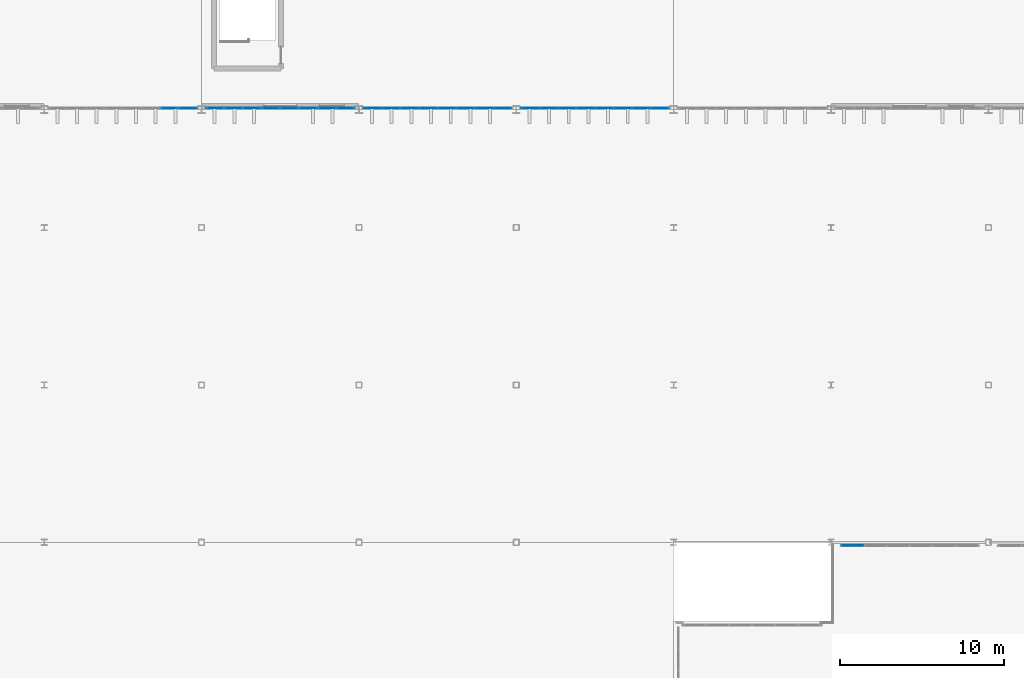
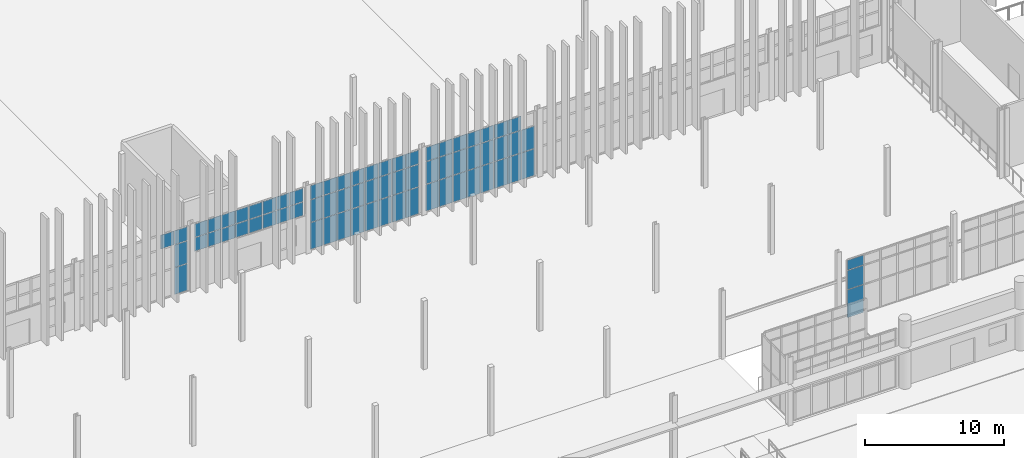
# One storey, part 73 of 139: 70 plates, 5 elements without a shape of their own.
"""IFC4 building model written with IfcOpenShell, lengths in metres."""

from ifc_helpers import new_model, si_unit, direction, frame, origin, origin_2d, place, context, subcontext, project, spatial, rectangle, extrude, material, layer, layer_set, type_object, element, aggregate, save


model = new_model("IFC4")

# Units and contexts
model_context = context("Model", 3, precision=1e-05, world=origin(), true_north=direction((0.0, 1.0)))
body_context = subcontext(model_context, "Body", "Model", "MODEL_VIEW")
ifc_project = project(units=[si_unit("LENGTHUNIT", "METRE"), si_unit("AREAUNIT", "SQUARE_METRE"), si_unit("VOLUMEUNIT", "CUBIC_METRE"), si_unit("PLANEANGLEUNIT", "RADIAN"), si_unit("MASSUNIT", "GRAM", prefix="KILO")], contexts=[model_context])

# Site, building, storey
site_placement = place(None, origin())
site = spatial("IfcSite", under=ifc_project, at=site_placement, CompositionType="ELEMENT")
building_placement = place(site_placement, origin())
building = spatial("IfcBuilding", under=site, at=building_placement, Name="Yeouljin Market Hall", CompositionType="ELEMENT")
storey_placement = place(building_placement, origin())
storey = spatial("IfcBuildingStorey", under=building, at=storey_placement, Name="L00", CompositionType="ELEMENT", Elevation=0.0)

# Curtain wall, plates
ifc_material_1 = material(Name="Thermally Broken Aluminium", Category="aluminium")
ifc_layer_1 = layer(ifc_material_1, 0.179931640625)
ifc_layer_set_1 = layer_set([ifc_layer_1], Name="Thermally Broken Aluminium")
curtain_wall_type_1 = type_object("IfcCurtainWallType", Name="CW_HallNave_System", PredefinedType="USERDEFINED", material=ifc_layer_set_1)
curtain_wall_1_placement = place(storey_placement, origin())
curtain_wall_1 = element("IfcCurtainWall", 1, at=curtain_wall_1_placement, inside=storey, type_object=curtain_wall_type_1, Name="Curtain wall CW-V1S-L00-06", ObjectType="CURTAIN WALL", PredefinedType="USERDEFINED")
ifc_material_2 = material(Name="Low-E Insulated Glass", Category="glass")
ifc_layer_2 = layer(ifc_material_2, 0.028076171875)
ifc_layer_set_2 = layer_set([ifc_layer_2], Name="Low-E Insulated Glass")
plate_type_1 = type_object("IfcPlateType", Name="CWPanel_LowE_28", PredefinedType="CURTAIN_PANEL", material=ifc_layer_set_2)
plate_1_placement = place(storey_placement, frame((92.169189453125, 36.10009765625, 3.248046875), z_axis=(0.0, 0.0, 1.0), x_axis=(-1.0, 0.0, 0.0)))
plate_1 = element("IfcPlate", 2, at=plate_1_placement, type_object=plate_type_1, Name="CW-01 panel 1.1", PredefinedType="CURTAIN_PANEL", context=body_context, shape_type="SweptSolid", body=[
    extrude(rectangle(XDim=1.0654296875, YDim=0.028076171875, at=origin_2d()), origin(), (0.0, 0.0, 1.0), 1.177978515625),
])
plate_2_placement = place(storey_placement, frame((92.169189453125, 36.10009765625, 4.47412109375), z_axis=(0.0, 0.0, 1.0), x_axis=(-1.0, 0.0, 0.0)))
plate_2 = element("IfcPlate", 3, at=plate_2_placement, type_object=plate_type_1, Name="CW-01 panel 1.2", PredefinedType="CURTAIN_PANEL", context=body_context, shape_type="SweptSolid", body=[
    extrude(rectangle(XDim=1.0654296875, YDim=0.028076171875, at=origin_2d()), origin(), (0.0, 0.0, 1.0), 1.157958984375),
])
plate_3_placement = place(storey_placement, frame((91.043701171875, 36.10009765625, 3.248046875), z_axis=(0.0, 0.0, 1.0), x_axis=(-1.0, 0.0, 0.0)))
plate_3 = element("IfcPlate", 4, at=plate_3_placement, type_object=plate_type_1, Name="CW-01 panel 2.1", PredefinedType="CURTAIN_PANEL", context=body_context, shape_type="SweptSolid", body=[
    extrude(rectangle(XDim=1.089599609375, YDim=0.028076171875, at=origin_2d()), origin(), (0.0, 0.0, 1.0), 1.177978515625),
])
plate_4_placement = place(storey_placement, frame((91.043701171875, 36.10009765625, 4.47412109375), z_axis=(0.0, 0.0, 1.0), x_axis=(-1.0, 0.0, 0.0)))
plate_4 = element("IfcPlate", 5, at=plate_4_placement, type_object=plate_type_1, Name="CW-01 panel 2.2", PredefinedType="CURTAIN_PANEL", context=body_context, shape_type="SweptSolid", body=[
    extrude(rectangle(XDim=1.089599609375, YDim=0.028076171875, at=origin_2d()), origin(), (0.0, 0.0, 1.0), 1.157958984375),
])
plate_5_placement = place(storey_placement, frame((89.90625, 36.10009765625, 3.248046875), z_axis=(0.0, 0.0, 1.0), x_axis=(-1.0, 0.0, 0.0)))
plate_5 = element("IfcPlate", 6, at=plate_5_placement, type_object=plate_type_1, Name="CW-01 panel 3.1", PredefinedType="CURTAIN_PANEL", context=body_context, shape_type="SweptSolid", body=[
    extrude(rectangle(XDim=1.089599609375, YDim=0.028076171875, at=origin_2d()), origin(), (0.0, 0.0, 1.0), 1.177978515625),
])
plate_6_placement = place(storey_placement, frame((89.90625, 36.10009765625, 4.47412109375), z_axis=(0.0, 0.0, 1.0), x_axis=(-1.0, 0.0, 0.0)))
plate_6 = element("IfcPlate", 7, at=plate_6_placement, type_object=plate_type_1, Name="CW-01 panel 3.2", PredefinedType="CURTAIN_PANEL", context=body_context, shape_type="SweptSolid", body=[
    extrude(rectangle(XDim=1.089599609375, YDim=0.028076171875, at=origin_2d()), origin(), (0.0, 0.0, 1.0), 1.157958984375),
])
plate_7_placement = place(storey_placement, frame((88.768798828125, 36.10009765625, 3.248046875), z_axis=(0.0, 0.0, 1.0), x_axis=(-1.0, 0.0, 0.0)))
plate_7 = element("IfcPlate", 8, at=plate_7_placement, type_object=plate_type_1, Name="CW-01 panel 4.1", PredefinedType="CURTAIN_PANEL", context=body_context, shape_type="SweptSolid", body=[
    extrude(rectangle(XDim=1.089599609375, YDim=0.028076171875, at=origin_2d()), origin(), (0.0, 0.0, 1.0), 1.177978515625),
])
plate_8_placement = place(storey_placement, frame((88.768798828125, 36.10009765625, 4.47412109375), z_axis=(0.0, 0.0, 1.0), x_axis=(-1.0, 0.0, 0.0)))
plate_8 = element("IfcPlate", 9, at=plate_8_placement, type_object=plate_type_1, Name="CW-01 panel 4.2", PredefinedType="CURTAIN_PANEL", context=body_context, shape_type="SweptSolid", body=[
    extrude(rectangle(XDim=1.089599609375, YDim=0.028076171875, at=origin_2d()), origin(), (0.0, 0.0, 1.0), 1.157958984375),
])
plate_9_placement = place(storey_placement, frame((87.63134765625, 36.10009765625, 3.248046875), z_axis=(0.0, 0.0, 1.0), x_axis=(-1.0, 0.0, 0.0)))
plate_9 = element("IfcPlate", 10, at=plate_9_placement, type_object=plate_type_1, Name="CW-01 panel 5.1", PredefinedType="CURTAIN_PANEL", context=body_context, shape_type="SweptSolid", body=[
    extrude(rectangle(XDim=1.089599609375, YDim=0.028076171875, at=origin_2d()), origin(), (0.0, 0.0, 1.0), 1.177978515625),
])
plate_10_placement = place(storey_placement, frame((87.63134765625, 36.10009765625, 4.47412109375), z_axis=(0.0, 0.0, 1.0), x_axis=(-1.0, 0.0, 0.0)))
plate_10 = element("IfcPlate", 11, at=plate_10_placement, type_object=plate_type_1, Name="CW-01 panel 5.2", PredefinedType="CURTAIN_PANEL", context=body_context, shape_type="SweptSolid", body=[
    extrude(rectangle(XDim=1.089599609375, YDim=0.028076171875, at=origin_2d()), origin(), (0.0, 0.0, 1.0), 1.157958984375),
])
plate_11_placement = place(storey_placement, frame((86.49365234375, 36.10009765625, 3.248046875), z_axis=(0.0, 0.0, 1.0), x_axis=(-1.0, 0.0, 0.0)))
plate_11 = element("IfcPlate", 12, at=plate_11_placement, type_object=plate_type_1, Name="CW-01 panel 6.1", PredefinedType="CURTAIN_PANEL", context=body_context, shape_type="SweptSolid", body=[
    extrude(rectangle(XDim=1.089599609375, YDim=0.028076171875, at=origin_2d()), origin(), (0.0, 0.0, 1.0), 1.177978515625),
])
plate_12_placement = place(storey_placement, frame((86.49365234375, 36.10009765625, 4.47412109375), z_axis=(0.0, 0.0, 1.0), x_axis=(-1.0, 0.0, 0.0)))
plate_12 = element("IfcPlate", 13, at=plate_12_placement, type_object=plate_type_1, Name="CW-01 panel 6.2", PredefinedType="CURTAIN_PANEL", context=body_context, shape_type="SweptSolid", body=[
    extrude(rectangle(XDim=1.089599609375, YDim=0.028076171875, at=origin_2d()), origin(), (0.0, 0.0, 1.0), 1.157958984375),
])
plate_13_placement = place(storey_placement, frame((85.356201171875, 36.10009765625, 3.248046875), z_axis=(0.0, 0.0, 1.0), x_axis=(-1.0, 0.0, 0.0)))
plate_13 = element("IfcPlate", 14, at=plate_13_placement, type_object=plate_type_1, Name="CW-01 panel 7.1", PredefinedType="CURTAIN_PANEL", context=body_context, shape_type="SweptSolid", body=[
    extrude(rectangle(XDim=1.089599609375, YDim=0.028076171875, at=origin_2d()), origin(), (0.0, 0.0, 1.0), 1.177978515625),
])
plate_14_placement = place(storey_placement, frame((85.356201171875, 36.10009765625, 4.47412109375), z_axis=(0.0, 0.0, 1.0), x_axis=(-1.0, 0.0, 0.0)))
plate_14 = element("IfcPlate", 15, at=plate_14_placement, type_object=plate_type_1, Name="CW-01 panel 7.2", PredefinedType="CURTAIN_PANEL", context=body_context, shape_type="SweptSolid", body=[
    extrude(rectangle(XDim=1.089599609375, YDim=0.028076171875, at=origin_2d()), origin(), (0.0, 0.0, 1.0), 1.157958984375),
])
plate_15_placement = place(storey_placement, frame((84.230712890625, 36.10009765625, 3.248046875), z_axis=(0.0, 0.0, 1.0), x_axis=(-1.0, 0.0, 0.0)))
plate_15 = element("IfcPlate", 16, at=plate_15_placement, type_object=plate_type_1, Name="CW-01 panel 8.1", PredefinedType="CURTAIN_PANEL", context=body_context, shape_type="SweptSolid", body=[
    extrude(rectangle(XDim=1.0654296875, YDim=0.028076171875, at=origin_2d()), origin(), (0.0, 0.0, 1.0), 1.177978515625),
])
plate_16_placement = place(storey_placement, frame((84.230712890625, 36.10009765625, 4.47412109375), z_axis=(0.0, 0.0, 1.0), x_axis=(-1.0, 0.0, 0.0)))
plate_16 = element("IfcPlate", 17, at=plate_16_placement, type_object=plate_type_1, Name="CW-01 panel 8.2", PredefinedType="CURTAIN_PANEL", context=body_context, shape_type="SweptSolid", body=[
    extrude(rectangle(XDim=1.0654296875, YDim=0.028076171875, at=origin_2d()), origin(), (0.0, 0.0, 1.0), 1.157958984375),
])
aggregate(curtain_wall_1, [plate_1, plate_2, plate_3, plate_4, plate_5, plate_6, plate_7, plate_8, plate_9, plate_10, plate_11, plate_12, plate_13, plate_14, plate_15, plate_16])

ifc_material_3 = material(Name="Thermally Broken Aluminium", Category="aluminium")
ifc_layer_3 = layer(ifc_material_3, 0.14990234375)
ifc_layer_set_3 = layer_set([ifc_layer_3], Name="Thermally Broken Aluminium")
curtain_wall_type_2 = type_object("IfcCurtainWallType", Name="CW_ColonnadeScreen_System", PredefinedType="USERDEFINED", material=ifc_layer_set_3)
curtain_wall_2_placement = place(storey_placement, origin())
curtain_wall_2 = element("IfcCurtainWall", 18, at=curtain_wall_2_placement, inside=storey, type_object=curtain_wall_type_2, Name="Curtain wall CW-V5N-L00-5", ObjectType="CURTAIN WALL", PredefinedType="USERDEFINED")
plate_17_placement = place(storey_placement, frame((123.112060546875, 9.39990234375, 0.0478515625), z_axis=(0.0, 0.0, 1.0), x_axis=(1.0, 0.0, 0.0)))
plate_17 = element("IfcPlate", 19, at=plate_17_placement, type_object=plate_type_1, Name="CW-06 panel 1.1", PredefinedType="CURTAIN_PANEL", context=body_context, shape_type="SweptSolid", body=[
    extrude(rectangle(XDim=1.327880859375, YDim=0.028076171875, at=origin_2d()), origin(), (0.0, 0.0, 1.0), 2.427978515625),
])
plate_18_placement = place(storey_placement, frame((123.112060546875, 9.39990234375, 2.52392578125), z_axis=(0.0, 0.0, 1.0), x_axis=(1.0, 0.0, 0.0)))
plate_18 = element("IfcPlate", 20, at=plate_18_placement, type_object=plate_type_1, Name="CW-06 panel 1.2", PredefinedType="CURTAIN_PANEL", context=body_context, shape_type="SweptSolid", body=[
    extrude(rectangle(XDim=1.327880859375, YDim=0.028076171875, at=origin_2d()), origin(), (0.0, 0.0, 1.0), 1.652099609375),
])
plate_19_placement = place(storey_placement, frame((123.112060546875, 9.39990234375, 4.22412109375), z_axis=(0.0, 0.0, 1.0), x_axis=(1.0, 0.0, 0.0)))
plate_19 = element("IfcPlate", 21, at=plate_19_placement, type_object=plate_type_1, Name="CW-06 panel 1.3", PredefinedType="CURTAIN_PANEL", context=body_context, shape_type="SweptSolid", body=[
    extrude(rectangle(XDim=1.327880859375, YDim=0.028076171875, at=origin_2d()), origin(), (0.0, 0.0, 1.0), 0.847900390625),
])
aggregate(curtain_wall_2, [plate_17, plate_18, plate_19])

curtain_wall_3_placement = place(storey_placement, origin())
curtain_wall_3 = element("IfcCurtainWall", 22, at=curtain_wall_3_placement, inside=storey, type_object=curtain_wall_type_1, Name="Curtain wall CW-V1S-L00-05", ObjectType="CURTAIN WALL", PredefinedType="USERDEFINED")
ifc_material_4 = material(Name="Low-E Insulated Glass", Category="glass")
ifc_layer_4 = layer(ifc_material_4, 0.035888671875)
ifc_layer_set_4 = layer_set([ifc_layer_4], Name="Low-E Insulated Glass")
plate_type_2 = type_object("IfcPlateType", Name="CWPanel_TripleLowE_36", PredefinedType="CURTAIN_PANEL", material=ifc_layer_set_4)
plate_20_placement = place(storey_placement, frame((82.5693359375, 36.10009765625, 0.0478515625), z_axis=(0.0, 0.0, 1.0), x_axis=(-1.0, 0.0, 0.0)))
plate_20 = element("IfcPlate", 23, at=plate_20_placement, type_object=plate_type_2, Name="CW-01 panel 1.1", PredefinedType="CURTAIN_PANEL", context=body_context, shape_type="SweptSolid", body=[
    extrude(rectangle(XDim=1.0654296875, YDim=0.035888671875, at=origin_2d()), origin(), (0.0, 0.0, 1.0), 2.327880859375),
])
plate_21_placement = place(storey_placement, frame((82.5693359375, 36.10009765625, 2.423828125), z_axis=(0.0, 0.0, 1.0), x_axis=(-1.0, 0.0, 0.0)))
plate_21 = element("IfcPlate", 24, at=plate_21_placement, type_object=plate_type_2, Name="CW-01 panel 1.2", PredefinedType="CURTAIN_PANEL", context=body_context, shape_type="SweptSolid", body=[
    extrude(rectangle(XDim=1.0654296875, YDim=0.035888671875, at=origin_2d()), origin(), (0.0, 0.0, 1.0), 1.951904296875),
])
plate_22_placement = place(storey_placement, frame((82.5693359375, 36.10009765625, 4.424072265625), z_axis=(0.0, 0.0, 1.0), x_axis=(-1.0, 0.0, 0.0)))
plate_22 = element("IfcPlate", 25, at=plate_22_placement, type_object=plate_type_2, Name="CW-01 panel 1.3", PredefinedType="CURTAIN_PANEL", context=body_context, shape_type="SweptSolid", body=[
    extrude(rectangle(XDim=1.0654296875, YDim=0.035888671875, at=origin_2d()), origin(), (0.0, 0.0, 1.0), 1.2080078125),
])
plate_23_placement = place(storey_placement, frame((81.44384765625, 36.10009765625, 4.424072265625), z_axis=(0.0, 0.0, 1.0), x_axis=(-1.0, 0.0, 0.0)))
plate_23 = element("IfcPlate", 26, at=plate_23_placement, type_object=plate_type_2, Name="CW-01 panel 2.3", PredefinedType="CURTAIN_PANEL", context=body_context, shape_type="SweptSolid", body=[
    extrude(rectangle(XDim=1.089599609375, YDim=0.035888671875, at=origin_2d()), origin(), (0.0, 0.0, 1.0), 1.2080078125),
])
aggregate(curtain_wall_3, [plate_20, plate_21, plate_22, plate_23])

curtain_wall_4_placement = place(storey_placement, origin())
curtain_wall_4 = element("IfcCurtainWall", 27, at=curtain_wall_4_placement, inside=storey, type_object=curtain_wall_type_1, Name="Curtain wall CW-V1S-L00-07", ObjectType="CURTAIN WALL", PredefinedType="USERDEFINED")
plate_24_placement = place(storey_placement, frame((101.769287109375, 36.10009765625, 0.0478515625), z_axis=(0.0, 0.0, 1.0), x_axis=(-1.0, 0.0, 0.0)))
plate_24 = element("IfcPlate", 28, at=plate_24_placement, type_object=plate_type_2, Name="CW-01 panel 1.1", PredefinedType="CURTAIN_PANEL", context=body_context, shape_type="SweptSolid", body=[
    extrude(rectangle(XDim=1.0654296875, YDim=0.035888671875, at=origin_2d()), origin(), (0.0, 0.0, 1.0), 2.327880859375),
])
plate_25_placement = place(storey_placement, frame((101.769287109375, 36.10009765625, 2.423828125), z_axis=(0.0, 0.0, 1.0), x_axis=(-1.0, 0.0, 0.0)))
plate_25 = element("IfcPlate", 29, at=plate_25_placement, type_object=plate_type_2, Name="CW-01 panel 1.2", PredefinedType="CURTAIN_PANEL", context=body_context, shape_type="SweptSolid", body=[
    extrude(rectangle(XDim=1.0654296875, YDim=0.035888671875, at=origin_2d()), origin(), (0.0, 0.0, 1.0), 1.951904296875),
])
plate_26_placement = place(storey_placement, frame((101.769287109375, 36.10009765625, 4.424072265625), z_axis=(0.0, 0.0, 1.0), x_axis=(-1.0, 0.0, 0.0)))
plate_26 = element("IfcPlate", 30, at=plate_26_placement, type_object=plate_type_2, Name="CW-01 panel 1.3", PredefinedType="CURTAIN_PANEL", context=body_context, shape_type="SweptSolid", body=[
    extrude(rectangle(XDim=1.0654296875, YDim=0.035888671875, at=origin_2d()), origin(), (0.0, 0.0, 1.0), 1.2080078125),
])
plate_27_placement = place(storey_placement, frame((100.643798828125, 36.10009765625, 0.0478515625), z_axis=(0.0, 0.0, 1.0), x_axis=(-1.0, 0.0, 0.0)))
plate_27 = element("IfcPlate", 31, at=plate_27_placement, type_object=plate_type_2, Name="CW-01 panel 2.1", PredefinedType="CURTAIN_PANEL", context=body_context, shape_type="SweptSolid", body=[
    extrude(rectangle(XDim=1.089599609375, YDim=0.035888671875, at=origin_2d()), origin(), (0.0, 0.0, 1.0), 2.327880859375),
])
plate_28_placement = place(storey_placement, frame((100.643798828125, 36.10009765625, 2.423828125), z_axis=(0.0, 0.0, 1.0), x_axis=(-1.0, 0.0, 0.0)))
plate_28 = element("IfcPlate", 32, at=plate_28_placement, type_object=plate_type_2, Name="CW-01 panel 2.2", PredefinedType="CURTAIN_PANEL", context=body_context, shape_type="SweptSolid", body=[
    extrude(rectangle(XDim=1.089599609375, YDim=0.035888671875, at=origin_2d()), origin(), (0.0, 0.0, 1.0), 1.951904296875),
])
plate_29_placement = place(storey_placement, frame((100.643798828125, 36.10009765625, 4.424072265625), z_axis=(0.0, 0.0, 1.0), x_axis=(-1.0, 0.0, 0.0)))
plate_29 = element("IfcPlate", 33, at=plate_29_placement, type_object=plate_type_2, Name="CW-01 panel 2.3", PredefinedType="CURTAIN_PANEL", context=body_context, shape_type="SweptSolid", body=[
    extrude(rectangle(XDim=1.089599609375, YDim=0.035888671875, at=origin_2d()), origin(), (0.0, 0.0, 1.0), 1.2080078125),
])
plate_30_placement = place(storey_placement, frame((99.50634765625, 36.10009765625, 0.0478515625), z_axis=(0.0, 0.0, 1.0), x_axis=(-1.0, 0.0, 0.0)))
plate_30 = element("IfcPlate", 34, at=plate_30_placement, type_object=plate_type_2, Name="CW-01 panel 3.1", PredefinedType="CURTAIN_PANEL", context=body_context, shape_type="SweptSolid", body=[
    extrude(rectangle(XDim=1.089599609375, YDim=0.035888671875, at=origin_2d()), origin(), (0.0, 0.0, 1.0), 2.327880859375),
])
plate_31_placement = place(storey_placement, frame((99.50634765625, 36.10009765625, 2.423828125), z_axis=(0.0, 0.0, 1.0), x_axis=(-1.0, 0.0, 0.0)))
plate_31 = element("IfcPlate", 35, at=plate_31_placement, type_object=plate_type_2, Name="CW-01 panel 3.2", PredefinedType="CURTAIN_PANEL", context=body_context, shape_type="SweptSolid", body=[
    extrude(rectangle(XDim=1.089599609375, YDim=0.035888671875, at=origin_2d()), origin(), (0.0, 0.0, 1.0), 1.951904296875),
])
plate_32_placement = place(storey_placement, frame((99.50634765625, 36.10009765625, 4.424072265625), z_axis=(0.0, 0.0, 1.0), x_axis=(-1.0, 0.0, 0.0)))
plate_32 = element("IfcPlate", 36, at=plate_32_placement, type_object=plate_type_2, Name="CW-01 panel 3.3", PredefinedType="CURTAIN_PANEL", context=body_context, shape_type="SweptSolid", body=[
    extrude(rectangle(XDim=1.089599609375, YDim=0.035888671875, at=origin_2d()), origin(), (0.0, 0.0, 1.0), 1.2080078125),
])
plate_33_placement = place(storey_placement, frame((98.36865234375, 36.10009765625, 0.0478515625), z_axis=(0.0, 0.0, 1.0), x_axis=(-1.0, 0.0, 0.0)))
plate_33 = element("IfcPlate", 37, at=plate_33_placement, type_object=plate_type_2, Name="CW-01 panel 4.1", PredefinedType="CURTAIN_PANEL", context=body_context, shape_type="SweptSolid", body=[
    extrude(rectangle(XDim=1.089599609375, YDim=0.035888671875, at=origin_2d()), origin(), (0.0, 0.0, 1.0), 2.327880859375),
])
plate_34_placement = place(storey_placement, frame((98.36865234375, 36.10009765625, 2.423828125), z_axis=(0.0, 0.0, 1.0), x_axis=(-1.0, 0.0, 0.0)))
plate_34 = element("IfcPlate", 38, at=plate_34_placement, type_object=plate_type_2, Name="CW-01 panel 4.2", PredefinedType="CURTAIN_PANEL", context=body_context, shape_type="SweptSolid", body=[
    extrude(rectangle(XDim=1.089599609375, YDim=0.035888671875, at=origin_2d()), origin(), (0.0, 0.0, 1.0), 1.951904296875),
])
plate_35_placement = place(storey_placement, frame((98.36865234375, 36.10009765625, 4.424072265625), z_axis=(0.0, 0.0, 1.0), x_axis=(-1.0, 0.0, 0.0)))
plate_35 = element("IfcPlate", 39, at=plate_35_placement, type_object=plate_type_2, Name="CW-01 panel 4.3", PredefinedType="CURTAIN_PANEL", context=body_context, shape_type="SweptSolid", body=[
    extrude(rectangle(XDim=1.089599609375, YDim=0.035888671875, at=origin_2d()), origin(), (0.0, 0.0, 1.0), 1.2080078125),
])
plate_36_placement = place(storey_placement, frame((97.231201171875, 36.10009765625, 0.0478515625), z_axis=(0.0, 0.0, 1.0), x_axis=(-1.0, 0.0, 0.0)))
plate_36 = element("IfcPlate", 40, at=plate_36_placement, type_object=plate_type_2, Name="CW-01 panel 5.1", PredefinedType="CURTAIN_PANEL", context=body_context, shape_type="SweptSolid", body=[
    extrude(rectangle(XDim=1.089599609375, YDim=0.035888671875, at=origin_2d()), origin(), (0.0, 0.0, 1.0), 2.327880859375),
])
plate_37_placement = place(storey_placement, frame((97.231201171875, 36.10009765625, 2.423828125), z_axis=(0.0, 0.0, 1.0), x_axis=(-1.0, 0.0, 0.0)))
plate_37 = element("IfcPlate", 41, at=plate_37_placement, type_object=plate_type_2, Name="CW-01 panel 5.2", PredefinedType="CURTAIN_PANEL", context=body_context, shape_type="SweptSolid", body=[
    extrude(rectangle(XDim=1.089599609375, YDim=0.035888671875, at=origin_2d()), origin(), (0.0, 0.0, 1.0), 1.951904296875),
])
plate_38_placement = place(storey_placement, frame((97.231201171875, 36.10009765625, 4.424072265625), z_axis=(0.0, 0.0, 1.0), x_axis=(-1.0, 0.0, 0.0)))
plate_38 = element("IfcPlate", 42, at=plate_38_placement, type_object=plate_type_2, Name="CW-01 panel 5.3", PredefinedType="CURTAIN_PANEL", context=body_context, shape_type="SweptSolid", body=[
    extrude(rectangle(XDim=1.089599609375, YDim=0.035888671875, at=origin_2d()), origin(), (0.0, 0.0, 1.0), 1.2080078125),
])
plate_39_placement = place(storey_placement, frame((96.09375, 36.10009765625, 0.0478515625), z_axis=(0.0, 0.0, 1.0), x_axis=(-1.0, 0.0, 0.0)))
plate_39 = element("IfcPlate", 43, at=plate_39_placement, type_object=plate_type_2, Name="CW-01 panel 6.1", PredefinedType="CURTAIN_PANEL", context=body_context, shape_type="SweptSolid", body=[
    extrude(rectangle(XDim=1.089599609375, YDim=0.035888671875, at=origin_2d()), origin(), (0.0, 0.0, 1.0), 2.327880859375),
])
plate_40_placement = place(storey_placement, frame((96.09375, 36.10009765625, 2.423828125), z_axis=(0.0, 0.0, 1.0), x_axis=(-1.0, 0.0, 0.0)))
plate_40 = element("IfcPlate", 44, at=plate_40_placement, type_object=plate_type_2, Name="CW-01 panel 6.2", PredefinedType="CURTAIN_PANEL", context=body_context, shape_type="SweptSolid", body=[
    extrude(rectangle(XDim=1.089599609375, YDim=0.035888671875, at=origin_2d()), origin(), (0.0, 0.0, 1.0), 1.951904296875),
])
plate_41_placement = place(storey_placement, frame((96.09375, 36.10009765625, 4.424072265625), z_axis=(0.0, 0.0, 1.0), x_axis=(-1.0, 0.0, 0.0)))
plate_41 = element("IfcPlate", 45, at=plate_41_placement, type_object=plate_type_2, Name="CW-01 panel 6.3", PredefinedType="CURTAIN_PANEL", context=body_context, shape_type="SweptSolid", body=[
    extrude(rectangle(XDim=1.089599609375, YDim=0.035888671875, at=origin_2d()), origin(), (0.0, 0.0, 1.0), 1.2080078125),
])
plate_42_placement = place(storey_placement, frame((94.956298828125, 36.10009765625, 0.0478515625), z_axis=(0.0, 0.0, 1.0), x_axis=(-1.0, 0.0, 0.0)))
plate_42 = element("IfcPlate", 46, at=plate_42_placement, type_object=plate_type_2, Name="CW-01 panel 7.1", PredefinedType="CURTAIN_PANEL", context=body_context, shape_type="SweptSolid", body=[
    extrude(rectangle(XDim=1.089599609375, YDim=0.035888671875, at=origin_2d()), origin(), (0.0, 0.0, 1.0), 2.327880859375),
])
plate_43_placement = place(storey_placement, frame((94.956298828125, 36.10009765625, 2.423828125), z_axis=(0.0, 0.0, 1.0), x_axis=(-1.0, 0.0, 0.0)))
plate_43 = element("IfcPlate", 47, at=plate_43_placement, type_object=plate_type_2, Name="CW-01 panel 7.2", PredefinedType="CURTAIN_PANEL", context=body_context, shape_type="SweptSolid", body=[
    extrude(rectangle(XDim=1.089599609375, YDim=0.035888671875, at=origin_2d()), origin(), (0.0, 0.0, 1.0), 1.951904296875),
])
plate_44_placement = place(storey_placement, frame((94.956298828125, 36.10009765625, 4.424072265625), z_axis=(0.0, 0.0, 1.0), x_axis=(-1.0, 0.0, 0.0)))
plate_44 = element("IfcPlate", 48, at=plate_44_placement, type_object=plate_type_2, Name="CW-01 panel 7.3", PredefinedType="CURTAIN_PANEL", context=body_context, shape_type="SweptSolid", body=[
    extrude(rectangle(XDim=1.089599609375, YDim=0.035888671875, at=origin_2d()), origin(), (0.0, 0.0, 1.0), 1.2080078125),
])
plate_45_placement = place(storey_placement, frame((93.830810546875, 36.10009765625, 0.0478515625), z_axis=(0.0, 0.0, 1.0), x_axis=(-1.0, 0.0, 0.0)))
plate_45 = element("IfcPlate", 49, at=plate_45_placement, type_object=plate_type_2, Name="CW-01 panel 8.1", PredefinedType="CURTAIN_PANEL", context=body_context, shape_type="SweptSolid", body=[
    extrude(rectangle(XDim=1.0654296875, YDim=0.035888671875, at=origin_2d()), origin(), (0.0, 0.0, 1.0), 2.327880859375),
])
plate_46_placement = place(storey_placement, frame((93.830810546875, 36.10009765625, 2.423828125), z_axis=(0.0, 0.0, 1.0), x_axis=(-1.0, 0.0, 0.0)))
plate_46 = element("IfcPlate", 50, at=plate_46_placement, type_object=plate_type_2, Name="CW-01 panel 8.2", PredefinedType="CURTAIN_PANEL", context=body_context, shape_type="SweptSolid", body=[
    extrude(rectangle(XDim=1.0654296875, YDim=0.035888671875, at=origin_2d()), origin(), (0.0, 0.0, 1.0), 1.951904296875),
])
plate_47_placement = place(storey_placement, frame((93.830810546875, 36.10009765625, 4.424072265625), z_axis=(0.0, 0.0, 1.0), x_axis=(-1.0, 0.0, 0.0)))
plate_47 = element("IfcPlate", 51, at=plate_47_placement, type_object=plate_type_2, Name="CW-01 panel 8.3", PredefinedType="CURTAIN_PANEL", context=body_context, shape_type="SweptSolid", body=[
    extrude(rectangle(XDim=1.0654296875, YDim=0.035888671875, at=origin_2d()), origin(), (0.0, 0.0, 1.0), 1.2080078125),
])
aggregate(curtain_wall_4, [plate_24, plate_25, plate_26, plate_27, plate_28, plate_29, plate_30, plate_31, plate_32, plate_33, plate_34, plate_35, plate_36, plate_37, plate_38, plate_39, plate_40, plate_41, plate_42, plate_43, plate_44, plate_45, plate_46, plate_47])

curtain_wall_5_placement = place(storey_placement, origin())
curtain_wall_5 = element("IfcCurtainWall", 52, at=curtain_wall_5_placement, inside=storey, type_object=curtain_wall_type_1, Name="Curtain wall CW-V1S-L00-08", ObjectType="CURTAIN WALL", PredefinedType="USERDEFINED")
plate_48_placement = place(storey_placement, frame((111.369140625, 36.10009765625, 0.0478515625), z_axis=(0.0, 0.0, 1.0), x_axis=(-1.0, 0.0, 0.0)))
plate_48 = element("IfcPlate", 53, at=plate_48_placement, type_object=plate_type_2, Name="CW-01 panel 1.1", PredefinedType="CURTAIN_PANEL", context=body_context, shape_type="SweptSolid", body=[
    extrude(rectangle(XDim=1.0654296875, YDim=0.035888671875, at=origin_2d()), origin(), (0.0, 0.0, 1.0), 2.327880859375),
])
plate_49_placement = place(storey_placement, frame((111.369140625, 36.10009765625, 2.423828125), z_axis=(0.0, 0.0, 1.0), x_axis=(-1.0, 0.0, 0.0)))
plate_49 = element("IfcPlate", 54, at=plate_49_placement, type_object=plate_type_2, Name="CW-01 panel 1.2", PredefinedType="CURTAIN_PANEL", context=body_context, shape_type="SweptSolid", body=[
    extrude(rectangle(XDim=1.0654296875, YDim=0.035888671875, at=origin_2d()), origin(), (0.0, 0.0, 1.0), 1.951904296875),
])
plate_50_placement = place(storey_placement, frame((110.24365234375, 36.10009765625, 0.0478515625), z_axis=(0.0, 0.0, 1.0), x_axis=(-1.0, 0.0, 0.0)))
plate_50 = element("IfcPlate", 55, at=plate_50_placement, type_object=plate_type_2, Name="CW-01 panel 2.1", PredefinedType="CURTAIN_PANEL", context=body_context, shape_type="SweptSolid", body=[
    extrude(rectangle(XDim=1.089599609375, YDim=0.035888671875, at=origin_2d()), origin(), (0.0, 0.0, 1.0), 2.327880859375),
])
plate_51_placement = place(storey_placement, frame((110.24365234375, 36.10009765625, 2.423828125), z_axis=(0.0, 0.0, 1.0), x_axis=(-1.0, 0.0, 0.0)))
plate_51 = element("IfcPlate", 56, at=plate_51_placement, type_object=plate_type_2, Name="CW-01 panel 2.2", PredefinedType="CURTAIN_PANEL", context=body_context, shape_type="SweptSolid", body=[
    extrude(rectangle(XDim=1.089599609375, YDim=0.035888671875, at=origin_2d()), origin(), (0.0, 0.0, 1.0), 1.951904296875),
])
plate_52_placement = place(storey_placement, frame((110.24365234375, 36.10009765625, 4.424072265625), z_axis=(0.0, 0.0, 1.0), x_axis=(-1.0, 0.0, 0.0)))
plate_52 = element("IfcPlate", 57, at=plate_52_placement, type_object=plate_type_2, Name="CW-01 panel 2.3", PredefinedType="CURTAIN_PANEL", context=body_context, shape_type="SweptSolid", body=[
    extrude(rectangle(XDim=1.089599609375, YDim=0.035888671875, at=origin_2d()), origin(), (0.0, 0.0, 1.0), 1.2080078125),
])
plate_53_placement = place(storey_placement, frame((109.106201171875, 36.10009765625, 0.0478515625), z_axis=(0.0, 0.0, 1.0), x_axis=(-1.0, 0.0, 0.0)))
plate_53 = element("IfcPlate", 58, at=plate_53_placement, type_object=plate_type_2, Name="CW-01 panel 3.1", PredefinedType="CURTAIN_PANEL", context=body_context, shape_type="SweptSolid", body=[
    extrude(rectangle(XDim=1.089599609375, YDim=0.035888671875, at=origin_2d()), origin(), (0.0, 0.0, 1.0), 2.327880859375),
])
plate_54_placement = place(storey_placement, frame((109.106201171875, 36.10009765625, 2.423828125), z_axis=(0.0, 0.0, 1.0), x_axis=(-1.0, 0.0, 0.0)))
plate_54 = element("IfcPlate", 59, at=plate_54_placement, type_object=plate_type_2, Name="CW-01 panel 3.2", PredefinedType="CURTAIN_PANEL", context=body_context, shape_type="SweptSolid", body=[
    extrude(rectangle(XDim=1.089599609375, YDim=0.035888671875, at=origin_2d()), origin(), (0.0, 0.0, 1.0), 1.951904296875),
])
plate_55_placement = place(storey_placement, frame((109.106201171875, 36.10009765625, 4.424072265625), z_axis=(0.0, 0.0, 1.0), x_axis=(-1.0, 0.0, 0.0)))
plate_55 = element("IfcPlate", 60, at=plate_55_placement, type_object=plate_type_2, Name="CW-01 panel 3.3", PredefinedType="CURTAIN_PANEL", context=body_context, shape_type="SweptSolid", body=[
    extrude(rectangle(XDim=1.089599609375, YDim=0.035888671875, at=origin_2d()), origin(), (0.0, 0.0, 1.0), 1.2080078125),
])
plate_56_placement = place(storey_placement, frame((107.96875, 36.10009765625, 0.0478515625), z_axis=(0.0, 0.0, 1.0), x_axis=(-1.0, 0.0, 0.0)))
plate_56 = element("IfcPlate", 61, at=plate_56_placement, type_object=plate_type_2, Name="CW-01 panel 4.1", PredefinedType="CURTAIN_PANEL", context=body_context, shape_type="SweptSolid", body=[
    extrude(rectangle(XDim=1.089599609375, YDim=0.035888671875, at=origin_2d()), origin(), (0.0, 0.0, 1.0), 2.327880859375),
])
plate_57_placement = place(storey_placement, frame((107.96875, 36.10009765625, 2.423828125), z_axis=(0.0, 0.0, 1.0), x_axis=(-1.0, 0.0, 0.0)))
plate_57 = element("IfcPlate", 62, at=plate_57_placement, type_object=plate_type_2, Name="CW-01 panel 4.2", PredefinedType="CURTAIN_PANEL", context=body_context, shape_type="SweptSolid", body=[
    extrude(rectangle(XDim=1.089599609375, YDim=0.035888671875, at=origin_2d()), origin(), (0.0, 0.0, 1.0), 1.951904296875),
])
plate_58_placement = place(storey_placement, frame((107.96875, 36.10009765625, 4.424072265625), z_axis=(0.0, 0.0, 1.0), x_axis=(-1.0, 0.0, 0.0)))
plate_58 = element("IfcPlate", 63, at=plate_58_placement, type_object=plate_type_2, Name="CW-01 panel 4.3", PredefinedType="CURTAIN_PANEL", context=body_context, shape_type="SweptSolid", body=[
    extrude(rectangle(XDim=1.089599609375, YDim=0.035888671875, at=origin_2d()), origin(), (0.0, 0.0, 1.0), 1.2080078125),
])
plate_59_placement = place(storey_placement, frame((106.831298828125, 36.10009765625, 0.0478515625), z_axis=(0.0, 0.0, 1.0), x_axis=(-1.0, 0.0, 0.0)))
plate_59 = element("IfcPlate", 64, at=plate_59_placement, type_object=plate_type_2, Name="CW-01 panel 5.1", PredefinedType="CURTAIN_PANEL", context=body_context, shape_type="SweptSolid", body=[
    extrude(rectangle(XDim=1.089599609375, YDim=0.035888671875, at=origin_2d()), origin(), (0.0, 0.0, 1.0), 2.327880859375),
])
plate_60_placement = place(storey_placement, frame((106.831298828125, 36.10009765625, 2.423828125), z_axis=(0.0, 0.0, 1.0), x_axis=(-1.0, 0.0, 0.0)))
plate_60 = element("IfcPlate", 65, at=plate_60_placement, type_object=plate_type_2, Name="CW-01 panel 5.2", PredefinedType="CURTAIN_PANEL", context=body_context, shape_type="SweptSolid", body=[
    extrude(rectangle(XDim=1.089599609375, YDim=0.035888671875, at=origin_2d()), origin(), (0.0, 0.0, 1.0), 1.951904296875),
])
plate_61_placement = place(storey_placement, frame((106.831298828125, 36.10009765625, 4.424072265625), z_axis=(0.0, 0.0, 1.0), x_axis=(-1.0, 0.0, 0.0)))
plate_61 = element("IfcPlate", 66, at=plate_61_placement, type_object=plate_type_2, Name="CW-01 panel 5.3", PredefinedType="CURTAIN_PANEL", context=body_context, shape_type="SweptSolid", body=[
    extrude(rectangle(XDim=1.089599609375, YDim=0.035888671875, at=origin_2d()), origin(), (0.0, 0.0, 1.0), 1.2080078125),
])
plate_62_placement = place(storey_placement, frame((105.69384765625, 36.10009765625, 0.0478515625), z_axis=(0.0, 0.0, 1.0), x_axis=(-1.0, 0.0, 0.0)))
plate_62 = element("IfcPlate", 67, at=plate_62_placement, type_object=plate_type_2, Name="CW-01 panel 6.1", PredefinedType="CURTAIN_PANEL", context=body_context, shape_type="SweptSolid", body=[
    extrude(rectangle(XDim=1.089599609375, YDim=0.035888671875, at=origin_2d()), origin(), (0.0, 0.0, 1.0), 2.327880859375),
])
plate_63_placement = place(storey_placement, frame((105.69384765625, 36.10009765625, 2.423828125), z_axis=(0.0, 0.0, 1.0), x_axis=(-1.0, 0.0, 0.0)))
plate_63 = element("IfcPlate", 68, at=plate_63_placement, type_object=plate_type_2, Name="CW-01 panel 6.2", PredefinedType="CURTAIN_PANEL", context=body_context, shape_type="SweptSolid", body=[
    extrude(rectangle(XDim=1.089599609375, YDim=0.035888671875, at=origin_2d()), origin(), (0.0, 0.0, 1.0), 1.951904296875),
])
plate_64_placement = place(storey_placement, frame((105.69384765625, 36.10009765625, 4.424072265625), z_axis=(0.0, 0.0, 1.0), x_axis=(-1.0, 0.0, 0.0)))
plate_64 = element("IfcPlate", 69, at=plate_64_placement, type_object=plate_type_2, Name="CW-01 panel 6.3", PredefinedType="CURTAIN_PANEL", context=body_context, shape_type="SweptSolid", body=[
    extrude(rectangle(XDim=1.089599609375, YDim=0.035888671875, at=origin_2d()), origin(), (0.0, 0.0, 1.0), 1.2080078125),
])
plate_65_placement = place(storey_placement, frame((104.55615234375, 36.10009765625, 0.0478515625), z_axis=(0.0, 0.0, 1.0), x_axis=(-1.0, 0.0, 0.0)))
plate_65 = element("IfcPlate", 70, at=plate_65_placement, type_object=plate_type_2, Name="CW-01 panel 7.1", PredefinedType="CURTAIN_PANEL", context=body_context, shape_type="SweptSolid", body=[
    extrude(rectangle(XDim=1.089599609375, YDim=0.035888671875, at=origin_2d()), origin(), (0.0, 0.0, 1.0), 2.327880859375),
])
plate_66_placement = place(storey_placement, frame((104.55615234375, 36.10009765625, 2.423828125), z_axis=(0.0, 0.0, 1.0), x_axis=(-1.0, 0.0, 0.0)))
plate_66 = element("IfcPlate", 71, at=plate_66_placement, type_object=plate_type_2, Name="CW-01 panel 7.2", PredefinedType="CURTAIN_PANEL", context=body_context, shape_type="SweptSolid", body=[
    extrude(rectangle(XDim=1.089599609375, YDim=0.035888671875, at=origin_2d()), origin(), (0.0, 0.0, 1.0), 1.951904296875),
])
plate_67_placement = place(storey_placement, frame((104.55615234375, 36.10009765625, 4.424072265625), z_axis=(0.0, 0.0, 1.0), x_axis=(-1.0, 0.0, 0.0)))
plate_67 = element("IfcPlate", 72, at=plate_67_placement, type_object=plate_type_2, Name="CW-01 panel 7.3", PredefinedType="CURTAIN_PANEL", context=body_context, shape_type="SweptSolid", body=[
    extrude(rectangle(XDim=1.089599609375, YDim=0.035888671875, at=origin_2d()), origin(), (0.0, 0.0, 1.0), 1.2080078125),
])
plate_68_placement = place(storey_placement, frame((103.4306640625, 36.10009765625, 0.0478515625), z_axis=(0.0, 0.0, 1.0), x_axis=(-1.0, 0.0, 0.0)))
plate_68 = element("IfcPlate", 73, at=plate_68_placement, type_object=plate_type_2, Name="CW-01 panel 8.1", PredefinedType="CURTAIN_PANEL", context=body_context, shape_type="SweptSolid", body=[
    extrude(rectangle(XDim=1.0654296875, YDim=0.035888671875, at=origin_2d()), origin(), (0.0, 0.0, 1.0), 2.327880859375),
])
plate_69_placement = place(storey_placement, frame((103.4306640625, 36.10009765625, 2.423828125), z_axis=(0.0, 0.0, 1.0), x_axis=(-1.0, 0.0, 0.0)))
plate_69 = element("IfcPlate", 74, at=plate_69_placement, type_object=plate_type_2, Name="CW-01 panel 8.2", PredefinedType="CURTAIN_PANEL", context=body_context, shape_type="SweptSolid", body=[
    extrude(rectangle(XDim=1.0654296875, YDim=0.035888671875, at=origin_2d()), origin(), (0.0, 0.0, 1.0), 1.951904296875),
])
plate_70_placement = place(storey_placement, frame((103.4306640625, 36.10009765625, 4.424072265625), z_axis=(0.0, 0.0, 1.0), x_axis=(-1.0, 0.0, 0.0)))
plate_70 = element("IfcPlate", 75, at=plate_70_placement, type_object=plate_type_2, Name="CW-01 panel 8.3", PredefinedType="CURTAIN_PANEL", context=body_context, shape_type="SweptSolid", body=[
    extrude(rectangle(XDim=1.0654296875, YDim=0.035888671875, at=origin_2d()), origin(), (0.0, 0.0, 1.0), 1.2080078125),
])
aggregate(curtain_wall_5, [plate_48, plate_49, plate_50, plate_51, plate_52, plate_53, plate_54, plate_55, plate_56, plate_57, plate_58, plate_59, plate_60, plate_61, plate_62, plate_63, plate_64, plate_65, plate_66, plate_67, plate_68, plate_69, plate_70])

save(model, "model.ifc")
